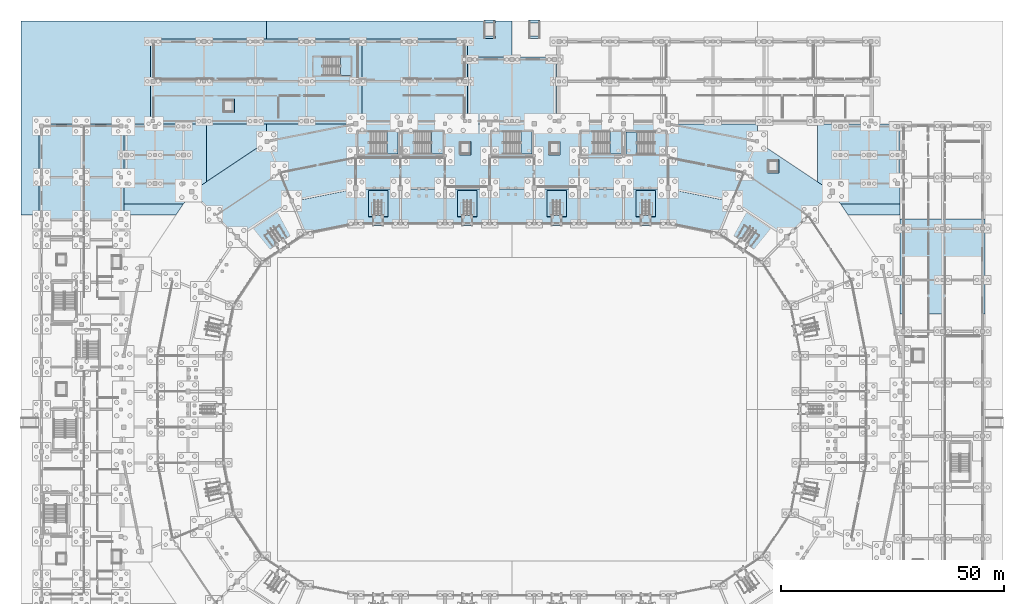
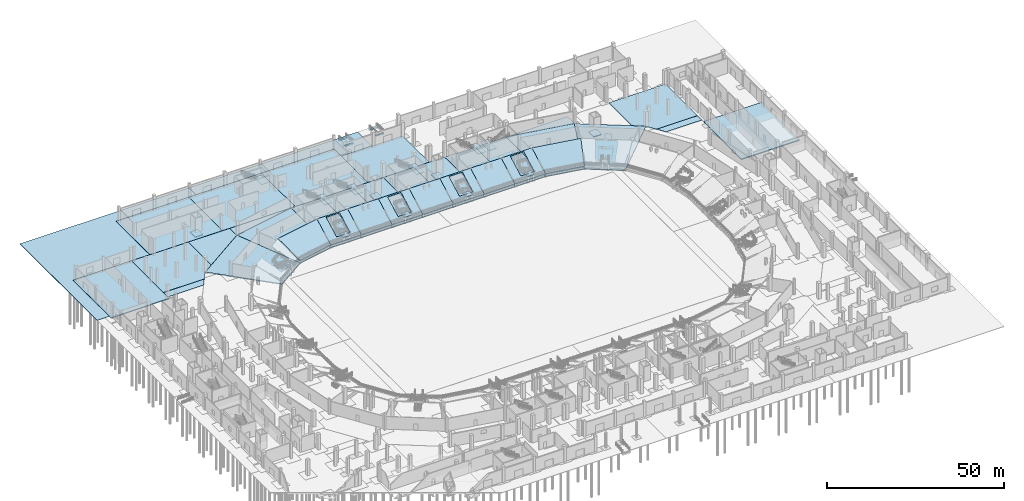
# One storey, part 22 of 68: 53 slabs, 10 elements without a shape of their own.
"""IFC4 building model written with IfcOpenShell, lengths in metres."""

from ifc_helpers import new_model, si_unit, direction, frame, origin, place, context, subcontext, project, spatial, polyline, outline, extrude, material, layer, layer_set, type_object, element, aggregate, save


model = new_model("IFC4")

# Units and contexts
model_context = context("Model", 3, precision=1e-05, world=origin(), true_north=direction((0.0, 1.0)))
body_context = subcontext(model_context, "Body", "Model", "MODEL_VIEW")
ifc_project = project(units=[si_unit("LENGTHUNIT", "METRE"), si_unit("AREAUNIT", "SQUARE_METRE"), si_unit("VOLUMEUNIT", "CUBIC_METRE"), si_unit("PLANEANGLEUNIT", "RADIAN"), si_unit("MASSUNIT", "GRAM", prefix="KILO")], contexts=[model_context])

# Site, building, storey
site_placement = place(None, origin())
site = spatial("IfcSite", under=ifc_project, at=site_placement, CompositionType="ELEMENT")
building_placement = place(site_placement, origin())
building = spatial("IfcBuilding", under=site, at=building_placement, Name="Candeia Ridge Stadium", CompositionType="ELEMENT")
storey_placement = place(building_placement, origin())
storey = spatial("IfcBuildingStorey", under=building, at=storey_placement, Name="L00", CompositionType="ELEMENT", Elevation=0.0)

# Stair, slab
ifc_material_1 = material(Name="Concrete C40/50", Category="concrete")
stair_type_1 = type_object("IfcStairType", Name="Enclosed Core Half-Turn Stair 2450", PredefinedType="HALF_TURN_STAIR", material=ifc_material_1)
stair_1_placement = place(storey_placement, origin())
stair_1 = element("IfcStair", 1, at=stair_1_placement, inside=storey, type_object=stair_type_1, Name="L00 Enclosed exit stair ST01", PredefinedType="HALF_TURN_STAIR")
ifc_layer_1 = layer(ifc_material_1, 0.199951171875, Name="Concrete C40/50", Category="concrete")
ifc_layer_set_1 = layer_set([ifc_layer_1], Name="Concrete C40/50")
slab_type_1 = type_object("IfcSlabType", Name="Core Stair Landing Slab 200", PredefinedType="LANDING", material=ifc_layer_set_1)
slab_1_placement = place(storey_placement, frame((0.0, 0.0, 2.5)))
slab_1 = element("IfcSlab", 2, at=slab_1_placement, type_object=slab_type_1, Name="ST01 landing 1", PredefinedType="LANDING", context=body_context, shape_type="SweptSolid", body=[
    extrude(outline(polyline([(78.010009765625, 140.199951171875), (80.5, 140.199951171875), (80.5, 145.25), (78.010009765625, 145.25), (78.010009765625, 140.199951171875)])), origin(), (0.0, 0.0, 1.0), 0.199951171875),
])
aggregate(stair_1, [slab_1])

stair_2_placement = place(storey_placement, origin())
stair_2 = element("IfcStair", 3, at=stair_2_placement, inside=storey, type_object=stair_type_1, Name="L00 Enclosed exit stair ST04", PredefinedType="HALF_TURN_STAIR")
slab_2_placement = place(storey_placement, frame((0.0, 0.0, 2.5)))
slab_2 = element("IfcSlab", 4, at=slab_2_placement, type_object=slab_type_1, Name="ST04 landing 1", PredefinedType="LANDING", context=body_context, shape_type="SweptSolid", body=[
    extrude(outline(polyline([(133.989990234375, 145.199951171875), (131.5, 145.199951171875), (131.5, 140.14990234375), (133.989990234375, 140.14990234375), (133.989990234375, 145.199951171875)])), origin(), (0.0, 0.0, 1.0), 0.199951171875),
])
aggregate(stair_2, [slab_2])

stair_3_placement = place(storey_placement, origin())
stair_3 = element("IfcStair", 5, at=stair_3_placement, inside=storey, type_object=stair_type_1, Name="L00 Enclosed exit stair ST09", PredefinedType="HALF_TURN_STAIR")
slab_3_placement = place(storey_placement, frame((0.0, 0.0, 2.5)))
slab_3 = element("IfcSlab", 6, at=slab_3_placement, type_object=slab_type_1, Name="ST09 landing 1", PredefinedType="LANDING", context=body_context, shape_type="SweptSolid", body=[
    extrude(outline(polyline([(88.010009765625, 140.199951171875), (90.5, 140.199951171875), (90.5, 145.25), (88.010009765625, 145.25), (88.010009765625, 140.199951171875)])), origin(), (0.0, 0.0, 1.0), 0.199951171875),
])
aggregate(stair_3, [slab_3])

stair_4_placement = place(storey_placement, origin())
stair_4 = element("IfcStair", 7, at=stair_4_placement, inside=storey, type_object=stair_type_1, Name="L00 Enclosed exit stair ST10", PredefinedType="HALF_TURN_STAIR")
slab_4_placement = place(storey_placement, frame((0.0, 0.0, 2.5)))
slab_4 = element("IfcSlab", 8, at=slab_4_placement, type_object=slab_type_1, Name="ST10 landing 1", PredefinedType="LANDING", context=body_context, shape_type="SweptSolid", body=[
    extrude(outline(polyline([(128.010009765625, 140.199951171875), (130.5, 140.199951171875), (130.5, 145.25), (128.010009765625, 145.25), (128.010009765625, 140.199951171875)])), origin(), (0.0, 0.0, 1.0), 0.199951171875),
])
aggregate(stair_4, [slab_4])

stair_type_2 = type_object("IfcStairType", Name="Enclosed Wing Half-Turn Stair 2000", PredefinedType="HALF_TURN_STAIR", material=ifc_material_1)
stair_5_placement = place(storey_placement, origin())
stair_5 = element("IfcStair", 9, at=stair_5_placement, inside=storey, type_object=stair_type_2, Name="L00 Enclosed exit stair ST15", PredefinedType="HALF_TURN_STAIR")
slab_5_placement = place(storey_placement, frame((0.0, 0.0, 2.5)))
slab_5 = element("IfcSlab", 10, at=slab_5_placement, type_object=slab_type_1, Name="ST15 landing 1", PredefinedType="LANDING", context=body_context, shape_type="SweptSolid", body=[
    extrude(outline(polyline([(67.56005859375, 157.800048828125), (69.89990234375, 157.800048828125), (69.89990234375, 161.949951171875), (67.56005859375, 161.949951171875), (67.56005859375, 157.800048828125)])), origin(), (0.0, 0.0, 1.0), 0.199951171875),
])
aggregate(stair_5, [slab_5])

stair_6_placement = place(storey_placement, origin())
stair_6 = element("IfcStair", 11, at=stair_6_placement, inside=storey, type_object=stair_type_1, Name="L00 Enclosed exit stair ST17", PredefinedType="HALF_TURN_STAIR")
slab_6_placement = place(storey_placement, frame((0.0, 0.0, 2.5)))
slab_6 = element("IfcSlab", 12, at=slab_6_placement, type_object=slab_type_1, Name="ST17 landing 1", PredefinedType="LANDING", context=body_context, shape_type="SweptSolid", body=[
    extrude(outline(polyline([(108.010009765625, 140.199951171875), (110.5, 140.199951171875), (110.5, 145.25), (108.010009765625, 145.25), (108.010009765625, 140.199951171875)])), origin(), (0.0, 0.0, 1.0), 0.199951171875),
])
aggregate(stair_6, [slab_6])

ifc_material_2 = material(Name="Precast concrete C45/55", Category="concrete")
stair_type_3 = type_object("IfcStairType", Name="Spectator Vomitory Straight Stair 2200", PredefinedType="STRAIGHT_RUN_STAIR", material=ifc_material_2)
stair_7_placement = place(storey_placement, origin())
stair_7 = element("IfcStair", 13, at=stair_7_placement, inside=storey, type_object=stair_type_3, Name="Vomitory stair VS01", PredefinedType="STRAIGHT_RUN_STAIR")
slab_7_placement = place(storey_placement, frame((0.0, 0.0, 2.0400390625)))
slab_7 = element("IfcSlab", 14, at=slab_7_placement, type_object=slab_type_1, Name="VS01 landing 1", PredefinedType="LANDING", context=body_context, shape_type="SweptSolid", body=[
    extrude(outline(polyline([(137.1201171875, 126.472412109375), (137.1201171875, 124.221923828125), (134.8798828125, 124.221923828125), (134.8798828125, 126.472412109375), (137.1201171875, 126.472412109375)])), origin(), (0.0, 0.0, 1.0), 0.199951171875),
])
aggregate(stair_7, [slab_7])

stair_8_placement = place(storey_placement, origin())
stair_8 = element("IfcStair", 15, at=stair_8_placement, inside=storey, type_object=stair_type_3, Name="Vomitory stair VS02", PredefinedType="STRAIGHT_RUN_STAIR")
slab_8_placement = place(storey_placement, frame((0.0, 0.0, 2.0400390625)))
slab_8 = element("IfcSlab", 16, at=slab_8_placement, type_object=slab_type_1, Name="VS02 landing 1", PredefinedType="LANDING", context=body_context, shape_type="SweptSolid", body=[
    extrude(outline(polyline([(117.1201171875, 126.472412109375), (117.1201171875, 124.221923828125), (114.8798828125, 124.221923828125), (114.8798828125, 126.472412109375), (117.1201171875, 126.472412109375)])), origin(), (0.0, 0.0, 1.0), 0.199951171875),
])
aggregate(stair_8, [slab_8])

stair_9_placement = place(storey_placement, origin())
stair_9 = element("IfcStair", 17, at=stair_9_placement, inside=storey, type_object=stair_type_3, Name="Vomitory stair VS03", PredefinedType="STRAIGHT_RUN_STAIR")
slab_9_placement = place(storey_placement, frame((0.0, 0.0, 2.0400390625)))
slab_9 = element("IfcSlab", 18, at=slab_9_placement, type_object=slab_type_1, Name="VS03 landing 1", PredefinedType="LANDING", context=body_context, shape_type="SweptSolid", body=[
    extrude(outline(polyline([(97.1201171875, 126.472412109375), (97.1201171875, 124.221923828125), (94.8798828125, 124.221923828125), (94.8798828125, 126.472412109375), (97.1201171875, 126.472412109375)])), origin(), (0.0, 0.0, 1.0), 0.199951171875),
])
aggregate(stair_9, [slab_9])

stair_10_placement = place(storey_placement, origin())
stair_10 = element("IfcStair", 19, at=stair_10_placement, inside=storey, type_object=stair_type_3, Name="Vomitory stair VS04", PredefinedType="STRAIGHT_RUN_STAIR")
slab_10_placement = place(storey_placement, frame((0.0, 0.0, 2.0400390625)))
slab_10 = element("IfcSlab", 20, at=slab_10_placement, type_object=slab_type_1, Name="VS04 landing 1", PredefinedType="LANDING", context=body_context, shape_type="SweptSolid", body=[
    extrude(outline(polyline([(77.1201171875, 126.472412109375), (77.1201171875, 124.221923828125), (74.8798828125, 124.221923828125), (74.8798828125, 126.472412109375), (77.1201171875, 126.472412109375)])), origin(), (0.0, 0.0, 1.0), 0.199951171875),
])
aggregate(stair_10, [slab_10])

# Slabs
ifc_material_3 = material(Name="Concrete C35/45", Category="concrete")
ifc_layer_2 = layer(ifc_material_3, 0.18994140625, Name="Concrete C35/45", Category="concrete")
ifc_layer_set_2 = layer_set([ifc_layer_2], Name="Concrete C35/45")
slab_type_2 = type_object("IfcSlabType", Name="Exterior Boulevard Plaza Apron 190", PredefinedType="BASESLAB", material=ifc_layer_set_2)
slab_11_placement = place(storey_placement, frame((0.0, 0.0, -0.18994140625)))
element("IfcSlab", 21, at=slab_11_placement, inside=storey, type_object=slab_type_2, Name="Perimeter boulevard plaza apron SLB-L00-0328", PredefinedType="BASESLAB", context=body_context, shape_type="SweptSolid", body=[
    extrude(outline(polyline([(-4.0, 170.0), (51.0, 170.0), (51.0, 166.02001953125), (25.0, 166.02001953125), (24.998046875, 166.02001953125), (24.99609375, 166.01953125), (24.994140625, 166.01904296875), (24.9921875, 166.0185546875), (24.990478515625, 166.017578125), (24.989013671875, 166.0166015625), (24.9873046875, 166.015380859375), (24.98583984375, 166.01416015625), (24.984619140625, 166.0126953125), (24.9833984375, 166.010986328125), (24.982421875, 166.009521484375), (24.9814453125, 166.0078125), (24.98095703125, 166.005859375), (24.98046875, 166.00390625), (24.97998046875, 166.001953125), (24.97998046875, 166.0), (24.97998046875, 147.02001953125), (0.0, 147.02001953125), (-0.001953125, 147.02001953125), (-0.00390625, 147.01953125), (-0.005859375, 147.01904296875), (-0.0078125, 147.0185546875), (-0.009521484375, 147.017578125), (-0.010986328125, 147.0166015625), (-0.0126953125, 147.015380859375), (-0.01416015625, 147.01416015625), (-0.015380859375, 147.0126953125), (-0.0166015625, 147.010986328125), (-0.017578125, 147.009521484375), (-0.0185546875, 147.0078125), (-0.01904296875, 147.005859375), (-0.01953125, 147.00390625), (-0.02001953125, 147.001953125), (-0.02001953125, 147.0), (-0.02001953125, 126.5), (-4.0, 126.5), (-4.0, 170.0)])), origin(), (0.0, 0.0, 1.0), 0.18994140625),
])
slab_12_placement = place(storey_placement, frame((0.0, 0.0, -0.18994140625)))
element("IfcSlab", 22, at=slab_12_placement, inside=storey, type_object=slab_type_2, Name="Perimeter boulevard plaza apron SLB-L00-0329", PredefinedType="BASESLAB", context=body_context, shape_type="SweptSolid", body=[
    extrude(outline(polyline([(51.0, 146.97998046875), (51.0, 142.998779296875), (37.52001953125, 133.99169921875), (37.52001953125, 146.97998046875), (51.0, 146.97998046875)])), origin(), (0.0, 0.0, 1.0), 0.18994140625),
])
slab_13_placement = place(storey_placement, frame((0.0, 0.0, -0.18994140625)))
element("IfcSlab", 23, at=slab_13_placement, inside=storey, type_object=slab_type_2, Name="Perimeter boulevard plaza apron SLB-L00-0330", PredefinedType="BASESLAB", context=body_context, shape_type="SweptSolid", body=[
    extrude(outline(polyline([(19.02001953125, 128.97998046875), (32.342529296875, 128.97998046875), (30.685302734375, 126.5), (19.02001953125, 126.5), (19.02001953125, 128.97998046875)])), origin(), (0.0, 0.0, 1.0), 0.18994140625),
])
slab_14_placement = place(storey_placement, frame((0.0, 0.0, -0.18994140625)))
element("IfcSlab", 24, at=slab_14_placement, inside=storey, type_object=slab_type_2, Name="Perimeter boulevard plaza apron SLB-L00-0335", PredefinedType="BASESLAB", context=body_context, shape_type="SweptSolid", body=[
    extrude(outline(polyline([(106.0, 170.0), (106.0, 162.02001953125), (96.02001953125, 162.02001953125), (96.02001953125, 166.0), (96.02001953125, 166.001953125), (96.01953125, 166.00390625), (96.01904296875, 166.005859375), (96.0185546875, 166.0078125), (96.017578125, 166.009521484375), (96.0166015625, 166.010986328125), (96.015380859375, 166.0126953125), (96.01416015625, 166.01416015625), (96.0126953125, 166.015380859375), (96.010986328125, 166.0166015625), (96.009521484375, 166.017578125), (96.0078125, 166.0185546875), (96.005859375, 166.01904296875), (96.00390625, 166.01953125), (96.001953125, 166.02001953125), (96.0, 166.02001953125), (51.0, 166.02001953125), (51.0, 170.0), (106.0, 170.0)])), origin(), (0.0, 0.0, 1.0), 0.18994140625),
])
slab_15_placement = place(storey_placement, frame((0.0, 0.0, -0.18994140625)))
element("IfcSlab", 25, at=slab_15_placement, inside=storey, type_object=slab_type_2, Name="Perimeter boulevard plaza apron SLB-L00-0336", PredefinedType="BASESLAB", context=body_context, shape_type="SweptSolid", body=[
    extrude(outline(polyline([(70.796875, 146.97998046875), (51.0966796875, 143.061279296875), (51.0947265625, 143.060791015625), (51.0927734375, 143.060302734375), (51.091064453125, 143.059326171875), (51.08935546875, 143.058349609375), (51.0, 142.998779296875), (51.0, 146.97998046875), (70.796875, 146.97998046875)])), origin(), (0.0, 0.0, 1.0), 0.18994140625),
])
slab_16_placement = place(storey_placement, frame((0.0, 0.0, -0.18994140625)))
element("IfcSlab", 26, at=slab_16_placement, inside=storey, type_object=slab_type_2, Name="Perimeter boulevard plaza apron SLB-L00-0342", PredefinedType="BASESLAB", context=body_context, shape_type="SweptSolid", body=[
    extrude(outline(polyline([(160.91064453125, 143.058349609375), (160.908935546875, 143.059326171875), (160.9072265625, 143.060302734375), (160.9052734375, 143.060791015625), (160.9033203125, 143.061279296875), (141.203125, 146.97998046875), (161.0, 146.97998046875), (161.0, 142.998779296875), (160.91064453125, 143.058349609375)])), origin(), (0.0, 0.0, 1.0), 0.18994140625),
])
slab_17_placement = place(storey_placement, frame((0.0, 0.0, -0.18994140625)))
element("IfcSlab", 27, at=slab_17_placement, inside=storey, type_object=slab_type_2, Name="Perimeter boulevard plaza apron SLB-L00-0353", PredefinedType="BASESLAB", context=body_context, shape_type="SweptSolid", body=[
    extrude(outline(polyline([(192.97998046875, 128.97998046875), (192.97998046875, 126.5), (181.314697265625, 126.5), (179.657470703125, 128.97998046875), (192.97998046875, 128.97998046875)])), origin(), (0.0, 0.0, 1.0), 0.18994140625),
])
ifc_layer_3 = layer(ifc_material_1, 0.300048828125, Name="Concrete C40/50", Category="concrete")
ifc_layer_set_3 = layer_set([ifc_layer_3], Name="Concrete C40/50")
slab_type_3 = type_object("IfcSlabType", Name="Ground Base Slab 300", PredefinedType="BASESLAB", material=ifc_layer_set_3)
slab_18_placement = place(storey_placement, frame((0.0, 0.0, -1.39990234375)))
element("IfcSlab", 28, at=slab_18_placement, inside=storey, type_object=slab_type_3, Name="Lift EL2 pit base slab", PredefinedType="BASESLAB", context=body_context, shape_type="SweptSolid", body=[
    extrude(outline(polyline([(163.199951171875, 136.0), (165.800048828125, 136.0), (165.800048828125, 139.0), (163.199951171875, 139.0), (163.199951171875, 136.0)])), origin(), (0.0, 0.0, 1.0), 0.2998046875),
])
slab_19_placement = place(storey_placement, frame((0.0, 0.0, -1.39990234375)))
element("IfcSlab", 29, at=slab_19_placement, inside=storey, type_object=slab_type_3, Name="Lift PL1 pit base slab", PredefinedType="BASESLAB", context=body_context, shape_type="SweptSolid", body=[
    extrude(outline(polyline([(94.199951171875, 140.0), (96.800048828125, 140.0), (96.800048828125, 143.0), (94.199951171875, 143.0), (94.199951171875, 140.0)])), origin(), (0.0, 0.0, 1.0), 0.2998046875),
])
slab_20_placement = place(storey_placement, frame((0.0, 0.0, -1.39990234375)))
element("IfcSlab", 30, at=slab_20_placement, inside=storey, type_object=slab_type_3, Name="Lift PL2 pit base slab", PredefinedType="BASESLAB", context=body_context, shape_type="SweptSolid", body=[
    extrude(outline(polyline([(114.199951171875, 140.0), (116.800048828125, 140.0), (116.800048828125, 143.0), (114.199951171875, 143.0), (114.199951171875, 140.0)])), origin(), (0.0, 0.0, 1.0), 0.2998046875),
])
slab_21_placement = place(storey_placement, frame((0.0, 0.0, -1.39990234375)))
element("IfcSlab", 31, at=slab_21_placement, inside=storey, type_object=slab_type_3, Name="Lift PL7 pit base slab", PredefinedType="BASESLAB", context=body_context, shape_type="SweptSolid", body=[
    extrude(outline(polyline([(41.199951171875, 149.5), (43.800048828125, 149.5), (43.800048828125, 152.5), (41.199951171875, 152.5), (41.199951171875, 149.5)])), origin(), (0.0, 0.0, 1.0), 0.2998046875),
])
slab_22_placement = place(storey_placement, frame((0.0, 0.0, -0.300048828125)))
element("IfcSlab", 32, at=slab_22_placement, inside=storey, type_object=slab_type_3, Name="Bowl concourse sector slab L00 bay 01 SLB-L00-0001", PredefinedType="BASESLAB", context=body_context, shape_type="SweptSolid", body=[
    extrude(outline(polyline([(140.9599609375, 124.60009765625), (131.0, 124.60009765625), (131.0, 147.0), (140.9599609375, 147.0), (140.9599609375, 124.60009765625)])), origin(), (0.0, 0.0, 1.0), 0.300048828125),
])
slab_23_placement = place(storey_placement, frame((0.0, 0.0, -0.300048828125)))
element("IfcSlab", 33, at=slab_23_placement, inside=storey, type_object=slab_type_3, Name="Bowl concourse sector slab L00 bay 02 SLB-L00-0002", PredefinedType="BASESLAB", context=body_context, shape_type="SweptSolid", body=[
    extrude(outline(polyline([(131.0, 124.60009765625), (121.0, 124.60009765625), (121.0, 147.0), (131.0, 147.0), (131.0, 124.60009765625)])), origin(), (0.0, 0.0, 1.0), 0.300048828125),
])
slab_24_placement = place(storey_placement, frame((0.0, 0.0, -0.300048828125)))
element("IfcSlab", 34, at=slab_24_placement, inside=storey, type_object=slab_type_3, Name="Bowl concourse sector slab L00 bay 03 SLB-L00-0003", PredefinedType="BASESLAB", context=body_context, shape_type="SweptSolid", body=[
    extrude(outline(polyline([(121.0, 124.60009765625), (111.0, 124.60009765625), (111.0, 147.0), (121.0, 147.0), (121.0, 124.60009765625)])), origin(), (0.0, 0.0, 1.0), 0.300048828125),
])
slab_25_placement = place(storey_placement, frame((0.0, 0.0, -0.300048828125)))
element("IfcSlab", 35, at=slab_25_placement, inside=storey, type_object=slab_type_3, Name="Bowl concourse sector slab L00 bay 04 SLB-L00-0004", PredefinedType="BASESLAB", context=body_context, shape_type="SweptSolid", body=[
    extrude(outline(polyline([(111.0, 124.60009765625), (101.0, 124.60009765625), (101.0, 147.0), (111.0, 147.0), (111.0, 124.60009765625)])), origin(), (0.0, 0.0, 1.0), 0.300048828125),
])
slab_26_placement = place(storey_placement, frame((0.0, 0.0, -0.300048828125)))
element("IfcSlab", 36, at=slab_26_placement, inside=storey, type_object=slab_type_3, Name="Bowl concourse sector slab L00 bay 05 SLB-L00-0005", PredefinedType="BASESLAB", context=body_context, shape_type="SweptSolid", body=[
    extrude(outline(polyline([(101.0, 124.60009765625), (91.0, 124.60009765625), (91.0, 147.0), (101.0, 147.0), (101.0, 124.60009765625)])), origin(), (0.0, 0.0, 1.0), 0.300048828125),
])
slab_27_placement = place(storey_placement, frame((0.0, 0.0, -0.300048828125)))
element("IfcSlab", 37, at=slab_27_placement, inside=storey, type_object=slab_type_3, Name="Bowl concourse sector slab L00 bay 06 SLB-L00-0006", PredefinedType="BASESLAB", context=body_context, shape_type="SweptSolid", body=[
    extrude(outline(polyline([(91.0, 124.60009765625), (81.0, 124.60009765625), (81.0, 147.0), (91.0, 147.0), (91.0, 124.60009765625)])), origin(), (0.0, 0.0, 1.0), 0.300048828125),
])
slab_28_placement = place(storey_placement, frame((0.0, 0.0, -0.300048828125)))
element("IfcSlab", 38, at=slab_28_placement, inside=storey, type_object=slab_type_3, Name="Bowl concourse sector slab L00 bay 07 SLB-L00-0007", PredefinedType="BASESLAB", context=body_context, shape_type="SweptSolid", body=[
    extrude(outline(polyline([(81.0, 124.60009765625), (71.0, 124.60009765625), (71.0, 147.0), (81.0, 147.0), (81.0, 124.60009765625)])), origin(), (0.0, 0.0, 1.0), 0.300048828125),
])
slab_29_placement = place(storey_placement, frame((0.0, 0.0, -0.300048828125)))
element("IfcSlab", 39, at=slab_29_placement, inside=storey, type_object=slab_type_3, Name="Bowl concourse sector slab L00 bay 08 SLB-L00-0008", PredefinedType="BASESLAB", context=body_context, shape_type="SweptSolid", body=[
    extrude(outline(polyline([(71.0, 124.60009765625), (59.672607421875, 122.3466796875), (51.1005859375, 143.041748046875), (71.0, 147.0), (71.0, 124.60009765625)])), origin(), (0.0, 0.0, 1.0), 0.300048828125),
])
slab_30_placement = place(storey_placement, frame((0.0, 0.0, -0.300048828125)))
element("IfcSlab", 40, at=slab_30_placement, inside=storey, type_object=slab_type_3, Name="Bowl concourse sector slab L00 bay 09 SLB-L00-0009", PredefinedType="BASESLAB", context=body_context, shape_type="SweptSolid", body=[
    extrude(outline(polyline([(59.672607421875, 122.3466796875), (50.102783203125, 115.95263671875), (34.263671875, 131.791748046875), (51.1005859375, 143.041748046875), (59.672607421875, 122.3466796875)])), origin(), (0.0, 0.0, 1.0), 0.300048828125),
])
slab_31_placement = place(storey_placement, frame((0.0, 0.0, -0.300048828125)))
element("IfcSlab", 41, at=slab_31_placement, inside=storey, type_object=slab_type_3, Name="Bowl concourse sector slab L00 bay 35 SLB-L00-0035", PredefinedType="BASESLAB", context=body_context, shape_type="SweptSolid", body=[
    extrude(outline(polyline([(161.930419921875, 115.930419921875), (152.327392578125, 122.3466796875), (160.8994140625, 143.041748046875), (177.76953125, 131.76953125), (161.930419921875, 115.930419921875)])), origin(), (0.0, 0.0, 1.0), 0.300048828125),
])
slab_32_placement = place(storey_placement, frame((0.0, 0.0, -0.300048828125)))
element("IfcSlab", 42, at=slab_32_placement, inside=storey, type_object=slab_type_3, Name="Bowl concourse sector slab L00 bay 36 SLB-L00-0036", PredefinedType="BASESLAB", context=body_context, shape_type="SweptSolid", body=[
    extrude(outline(polyline([(152.327392578125, 122.3466796875), (141.039306640625, 124.59228515625), (141.039306640625, 146.9921875), (160.8994140625, 143.041748046875), (152.327392578125, 122.3466796875)])), origin(), (0.0, 0.0, 1.0), 0.300048828125),
])
slab_33_placement = place(storey_placement, frame((0.0, 0.0, -0.300048828125)))
element("IfcSlab", 43, at=slab_33_placement, inside=storey, type_object=slab_type_3, Name="Wing floor slab west SLB-L00-0186", PredefinedType="BASESLAB", context=body_context, shape_type="SweptSolid", body=[
    extrude(outline(polyline([(19.0, 125.666748046875), (19.0, 147.0), (0.0, 147.0), (0.0, 125.666748046875), (19.0, 125.666748046875)])), origin(), (0.0, 0.0, 1.0), 0.300048828125),
])
slab_34_placement = place(storey_placement, frame((0.0, 0.0, -0.300048828125)))
element("IfcSlab", 44, at=slab_34_placement, inside=storey, type_object=slab_type_3, Name="Wing floor slab nw_n SLB-L00-0201", PredefinedType="BASESLAB", context=body_context, shape_type="SweptSolid", body=[
    extrude(outline(polyline([(48.666748046875, 147.0), (48.666748046875, 166.0), (25.0, 166.0), (25.0, 147.0), (48.666748046875, 147.0)])), origin(), (0.0, 0.0, 1.0), 0.300048828125),
])
slab_35_placement = place(storey_placement, frame((0.0, 0.0, -0.300048828125)))
element("IfcSlab", 45, at=slab_35_placement, inside=storey, type_object=slab_type_3, Name="Wing floor slab nw_n SLB-L00-0202", PredefinedType="BASESLAB", context=body_context, shape_type="SweptSolid", body=[
    extrude(outline(polyline([(72.333251953125, 147.0), (72.333251953125, 166.0), (48.666748046875, 166.0), (48.666748046875, 147.0), (72.333251953125, 147.0)])), origin(), (0.0, 0.0, 1.0), 0.300048828125),
])
slab_36_placement = place(storey_placement, frame((0.0, 0.0, -0.300048828125)))
element("IfcSlab", 46, at=slab_36_placement, inside=storey, type_object=slab_type_3, Name="Wing floor slab nw_n SLB-L00-0203", PredefinedType="BASESLAB", context=body_context, shape_type="SweptSolid", body=[
    extrude(outline(polyline([(96.0, 147.0), (96.0, 166.0), (72.333251953125, 166.0), (72.333251953125, 147.0), (96.0, 147.0)])), origin(), (0.0, 0.0, 1.0), 0.300048828125),
])
slab_37_placement = place(storey_placement, frame((0.0, 0.0, -0.300048828125)))
element("IfcSlab", 47, at=slab_37_placement, inside=storey, type_object=slab_type_3, Name="Wing floor slab ngate SLB-L00-0207", PredefinedType="BASESLAB", context=body_context, shape_type="SweptSolid", body=[
    extrude(outline(polyline([(116.0, 147.0), (116.0, 162.0), (96.0, 162.0), (96.0, 147.0), (116.0, 147.0)])), origin(), (0.0, 0.0, 1.0), 0.300048828125),
])
slab_38_placement = place(storey_placement, frame((0.0, 0.0, -0.300048828125)))
element("IfcSlab", 48, at=slab_38_placement, inside=storey, type_object=slab_type_3, Name="Wing floor slab sp_nw SLB-L00-0208", PredefinedType="BASESLAB", context=body_context, shape_type="SweptSolid", body=[
    extrude(outline(polyline([(19.0, 129.0), (19.0, 147.0), (37.5, 147.0), (37.5, 133.960205078125), (34.227783203125, 131.773681640625), (34.227294921875, 131.7734375), (34.226806640625, 131.773193359375), (34.2265625, 131.772705078125), (34.226318359375, 131.772216796875), (32.373779296875, 129.0), (19.0, 129.0)])), origin(), (0.0, 0.0, 1.0), 0.300048828125),
])
slab_39_placement = place(storey_placement, frame((0.0, 0.0, -0.300048828125)))
element("IfcSlab", 49, at=slab_39_placement, inside=storey, type_object=slab_type_3, Name="Wing floor slab sp_ne SLB-L00-0211", PredefinedType="BASESLAB", context=body_context, shape_type="SweptSolid", body=[
    extrude(outline(polyline([(174.5, 147.0), (193.0, 147.0), (193.0, 129.0), (179.626220703125, 129.0), (177.773681640625, 131.772216796875), (177.7734375, 131.772705078125), (177.773193359375, 131.773193359375), (177.772705078125, 131.7734375), (177.772216796875, 131.773681640625), (174.5, 133.960205078125), (174.5, 147.0)])), origin(), (0.0, 0.0, 1.0), 0.300048828125),
])
slab_40_placement = place(storey_placement, frame((0.0, 0.0, -0.820068359375)))
element("IfcSlab", 50, at=slab_40_placement, inside=storey, type_object=slab_type_3, Name="Ramp bot threshold base slab RMP-N1", PredefinedType="BASESLAB", context=body_context, shape_type="SweptSolid", body=[
    extrude(outline(polyline([(99.679931640625, 170.25), (99.679931640625, 169.60009765625), (102.320068359375, 169.60009765625), (102.320068359375, 170.25), (99.679931640625, 170.25)])), origin(), (0.0, 0.0, 1.0), 0.51953125),
])
slab_41_placement = place(storey_placement, frame((0.0, 0.0, -0.52001953125)))
element("IfcSlab", 51, at=slab_41_placement, inside=storey, type_object=slab_type_3, Name="Ramp top threshold base slab RMP-N1", PredefinedType="BASESLAB", context=body_context, shape_type="SweptSolid", body=[
    extrude(outline(polyline([(99.679931640625, 166.6201171875), (99.679931640625, 166.159912109375), (102.320068359375, 166.159912109375), (102.320068359375, 166.6201171875), (99.679931640625, 166.6201171875)])), origin(), (0.0, 0.0, 1.0), 0.300537109375),
])
slab_42_placement = place(storey_placement, frame((0.0, 0.0, -0.820068359375)))
element("IfcSlab", 52, at=slab_42_placement, inside=storey, type_object=slab_type_3, Name="Ramp bot threshold base slab RMP-N2", PredefinedType="BASESLAB", context=body_context, shape_type="SweptSolid", body=[
    extrude(outline(polyline([(109.679931640625, 170.25), (109.679931640625, 169.60009765625), (112.320068359375, 169.60009765625), (112.320068359375, 170.25), (109.679931640625, 170.25)])), origin(), (0.0, 0.0, 1.0), 0.51953125),
])
slab_43_placement = place(storey_placement, frame((0.0, 0.0, -0.52001953125)))
element("IfcSlab", 53, at=slab_43_placement, inside=storey, type_object=slab_type_3, Name="Ramp top threshold base slab RMP-N2", PredefinedType="BASESLAB", context=body_context, shape_type="SweptSolid", body=[
    extrude(outline(polyline([(109.679931640625, 166.6201171875), (109.679931640625, 166.159912109375), (112.320068359375, 166.159912109375), (112.320068359375, 166.6201171875), (109.679931640625, 166.6201171875)])), origin(), (0.0, 0.0, 1.0), 0.300537109375),
])
ifc_layer_4 = layer(ifc_material_1, 0.340087890625, Name="Concrete C40/50", Category="concrete")
ifc_layer_set_4 = layer_set([ifc_layer_4], Name="Concrete C40/50")
slab_type_4 = type_object("IfcSlabType", Name="Heavy Plant & Dock Base Slab 340", PredefinedType="BASESLAB", material=ifc_layer_set_4)
slab_44_placement = place(storey_placement, frame((0.0, 0.0, -0.340087890625)))
element("IfcSlab", 54, at=slab_44_placement, inside=storey, type_object=slab_type_4, Name="Wing floor slab east SLB-L00-0191", PredefinedType="BASESLAB", context=body_context, shape_type="SweptSolid", body=[
    extrude(outline(polyline([(212.0, 104.333251953125), (212.0, 125.666748046875), (193.0, 125.666748046875), (193.0, 104.333251953125), (212.0, 104.333251953125)])), origin(), (0.0, 0.0, 1.0), 0.340087890625),
])
ifc_layer_5 = layer(ifc_material_2, 0.219970703125, Name="Precast concrete C45/55", Category="concrete")
ifc_layer_set_5 = layer_set([ifc_layer_5], Name="Precast concrete C45/55")
slab_type_5 = type_object("IfcSlabType", Name="Lower Seating Tier Precast 220", PredefinedType="USERDEFINED", material=ifc_layer_set_5)
slab_45_placement = place(storey_placement, frame((141.0, 124.60009765625, 0.85009765625), z_axis=(0.0, -0.474104753383, 0.880468445102), x_axis=(-1.0, 0.0, 0.0)))
element("IfcSlab", 55, at=slab_45_placement, inside=storey, type_object=slab_type_5, Name="Stand Lower Tier Stands Bay 01", ObjectType="SEATING TIER", PredefinedType="USERDEFINED", context=body_context, shape_type="SweptSolid", body=[
    extrude(outline(polyline([(0.0, 0.0), (10.0, 0.0), (10.0, -8.858698719861804), (0.0, -8.858698719861804), (0.0, 0.0)]), holes=[polyline([(2.800048828125, -1.7715413201639891), (7.199951171875, -1.7715413201639891), (7.199951171875, -8.504347464205711), (2.800048828125, -8.504347464205711), (2.800048828125, -1.7715413201639891)])]), origin(), (0.0, 0.0, -1.0), 0.219970703125),
])
slab_46_placement = place(storey_placement, frame((131.0, 124.60009765625, 0.85009765625), z_axis=(0.0, -0.474104753383, 0.880468445102), x_axis=(-1.0, 0.0, 0.0)))
element("IfcSlab", 56, at=slab_46_placement, inside=storey, type_object=slab_type_5, Name="Stand Lower Tier Stands Bay 02", ObjectType="SEATING TIER", PredefinedType="USERDEFINED", context=body_context, shape_type="SweptSolid", body=[
    extrude(outline(polyline([(0.0, 0.0), (10.0, 0.0), (10.0, -8.858698719861804), (0.0, -8.858698719861804), (0.0, 0.0)])), origin(), (0.0, 0.0, -1.0), 0.219970703125),
])
slab_47_placement = place(storey_placement, frame((121.0, 124.60009765625, 0.85009765625), z_axis=(0.0, -0.474104753383, 0.880468445102), x_axis=(-1.0, 0.0, 0.0)))
element("IfcSlab", 57, at=slab_47_placement, inside=storey, type_object=slab_type_5, Name="Stand Lower Tier Stands Bay 03", ObjectType="SEATING TIER", PredefinedType="USERDEFINED", context=body_context, shape_type="SweptSolid", body=[
    extrude(outline(polyline([(0.0, 0.0), (10.0, 0.0), (10.0, -8.858698719861804), (0.0, -8.858698719861804), (0.0, 0.0)]), holes=[polyline([(2.800048828125, -1.7715413201639891), (7.199951171875, -1.7715413201639891), (7.199951171875, -8.504347464205711), (2.800048828125, -8.504347464205711), (2.800048828125, -1.7715413201639891)])]), origin(), (0.0, 0.0, -1.0), 0.219970703125),
])
slab_48_placement = place(storey_placement, frame((111.0, 124.60009765625, 0.85009765625), z_axis=(0.0, -0.474104753383, 0.880468445102), x_axis=(-1.0, 0.0, 0.0)))
element("IfcSlab", 58, at=slab_48_placement, inside=storey, type_object=slab_type_5, Name="Stand Lower Tier Stands Bay 04", ObjectType="SEATING TIER", PredefinedType="USERDEFINED", context=body_context, shape_type="SweptSolid", body=[
    extrude(outline(polyline([(0.0, 0.0), (10.0, 0.0), (10.0, -8.858698719861804), (0.0, -8.858698719861804), (0.0, 0.0)])), origin(), (0.0, 0.0, -1.0), 0.219970703125),
])
slab_49_placement = place(storey_placement, frame((101.0, 124.60009765625, 0.85009765625), z_axis=(0.0, -0.474104753383, 0.880468445102), x_axis=(-1.0, 0.0, 0.0)))
element("IfcSlab", 59, at=slab_49_placement, inside=storey, type_object=slab_type_5, Name="Stand Lower Tier Stands Bay 05", ObjectType="SEATING TIER", PredefinedType="USERDEFINED", context=body_context, shape_type="SweptSolid", body=[
    extrude(outline(polyline([(0.0, 0.0), (10.0, 0.0), (10.0, -8.858698719861804), (0.0, -8.858698719861804), (0.0, 0.0)]), holes=[polyline([(2.800048828125, -1.7715413201639891), (7.199951171875, -1.7715413201639891), (7.199951171875, -8.504347464205711), (2.800048828125, -8.504347464205711), (2.800048828125, -1.7715413201639891)])]), origin(), (0.0, 0.0, -1.0), 0.219970703125),
])
slab_50_placement = place(storey_placement, frame((91.0, 124.60009765625, 0.85009765625), z_axis=(0.0, -0.474104753383, 0.880468445102), x_axis=(-1.0, 0.0, 0.0)))
element("IfcSlab", 60, at=slab_50_placement, inside=storey, type_object=slab_type_5, Name="Stand Lower Tier Stands Bay 06", ObjectType="SEATING TIER", PredefinedType="USERDEFINED", context=body_context, shape_type="SweptSolid", body=[
    extrude(outline(polyline([(0.0, 0.0), (10.0, 0.0), (10.0, -8.858698719861804), (0.0, -8.858698719861804), (0.0, 0.0)])), origin(), (0.0, 0.0, -1.0), 0.219970703125),
])
slab_51_placement = place(storey_placement, frame((81.0, 124.60009765625, 0.85009765625), z_axis=(0.0, -0.474104753383, 0.880468445102), x_axis=(-1.0, 0.0, 0.0)))
element("IfcSlab", 61, at=slab_51_placement, inside=storey, type_object=slab_type_5, Name="Stand Lower Tier Stands Bay 07", ObjectType="SEATING TIER", PredefinedType="USERDEFINED", context=body_context, shape_type="SweptSolid", body=[
    extrude(outline(polyline([(0.0, 0.0), (10.0, 0.0), (10.0, -8.858698719861804), (0.0, -8.858698719861804), (0.0, 0.0)]), holes=[polyline([(2.800048828125, -1.7715413201639891), (7.199951171875, -1.7715413201639891), (7.199951171875, -8.504347464205711), (2.800048828125, -8.504347464205711), (2.800048828125, -1.7715413201639891)])]), origin(), (0.0, 0.0, -1.0), 0.219970703125),
])
slab_52_placement = place(storey_placement, frame((71.0, 124.60009765625, 0.85009765625), z_axis=(0.093892154148, -0.472009207859, 0.876579472202), x_axis=(-0.980783509067, -0.195099226914, -8.61451e-07)))
element("IfcSlab", 62, at=slab_52_placement, inside=storey, type_object=slab_type_5, Name="Stand Lower Tier Stands Bay 08", ObjectType="SEATING TIER", PredefinedType="USERDEFINED", context=body_context, shape_type="SweptSolid", body=[
    extrude(outline(polyline([(0.0, 0.0), (11.54883341511964, -4.440892098500626e-16), (13.070678230603427, -8.72706529613274), (-1.5217394826634483, -8.727018503249294), (0.0, 0.0)])), origin(), (0.0, 0.0, -1.0), 0.219970703125),
])
slab_53_placement = place(storey_placement, frame((152.326904296875, 122.346923828125, 0.85009765625), z_axis=(-0.093892154148, -0.472009207859, 0.876579472202), x_axis=(-0.980783509067, 0.195099226914, 8.61451e-07)))
element("IfcSlab", 63, at=slab_53_placement, inside=storey, type_object=slab_type_5, Name="Stand Lower Tier Stands Bay 36", ObjectType="SEATING TIER", PredefinedType="USERDEFINED", context=body_context, shape_type="SweptSolid", body=[
    extrude(outline(polyline([(0.0, 0.0), (11.54883341511964, 4.440892098500626e-16), (13.070572897783089, -8.727018503249294), (-1.5218448154837856, -8.72706529613274), (0.0, 0.0)])), origin(), (0.0, 0.0, -1.0), 0.219970703125),
])

save(model, "model.ifc")
